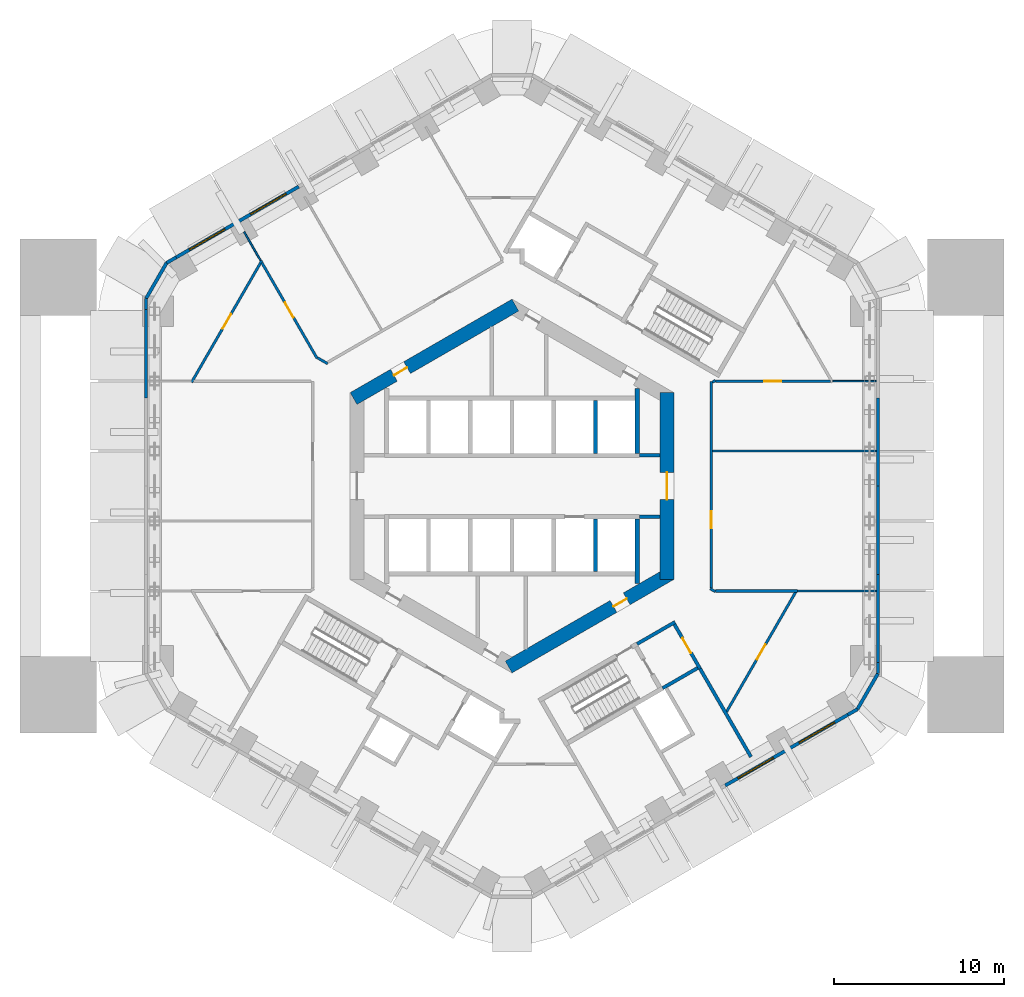
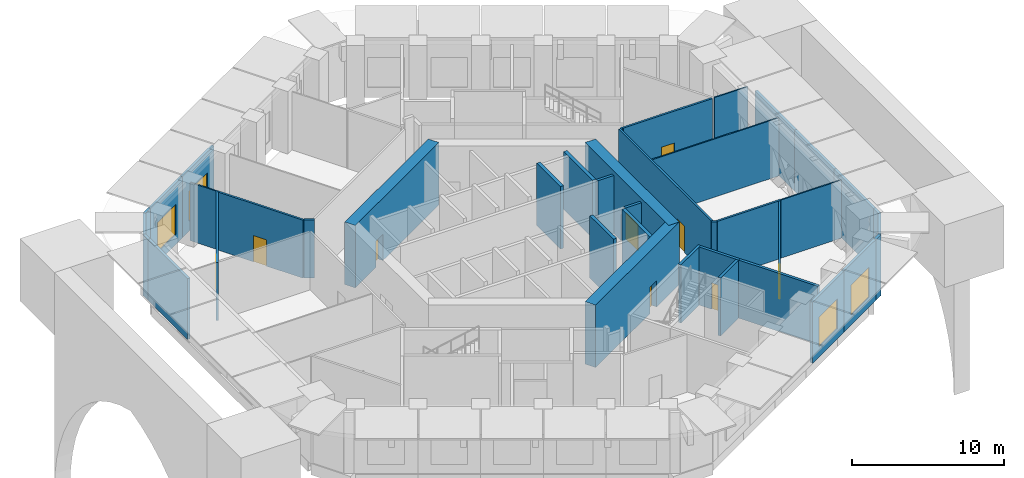
# One storey, part 4 of 10: 40 walls, 9 doors, 4 windows, 13 openings.
"""IFC4 building model written with IfcOpenShell, lengths in metres."""

from ifc_helpers import new_model, si_unit, direction, frame, frame_2d, origin, place, context, subcontext, project, spatial, rectangle, extrude, material, layer, layer_set, type_object, element, fill, save


model = new_model("IFC4")

# Units and contexts
model_context = context("Model", 3, precision=1e-05, world=origin(), true_north=direction((0.0, 1.0)))
body_context = subcontext(model_context, "Body", "Model", "MODEL_VIEW")
ifc_project = project(units=[si_unit("LENGTHUNIT", "METRE"), si_unit("AREAUNIT", "SQUARE_METRE"), si_unit("VOLUMEUNIT", "CUBIC_METRE"), si_unit("PLANEANGLEUNIT", "RADIAN"), si_unit("MASSUNIT", "GRAM", prefix="KILO")], contexts=[model_context])

# Site, building, storey
site_placement = place(None, origin())
site = spatial("IfcSite", under=ifc_project, at=site_placement, CompositionType="ELEMENT")
building_placement = place(site_placement, origin())
building = spatial("IfcBuilding", under=site, at=building_placement, Name="Ayvan Gate Tower", CompositionType="ELEMENT")
storey_placement = place(building_placement, frame((0.0, 0.0, 20.5)))
storey = spatial("IfcBuildingStorey", under=building, at=storey_placement, Name="L04", CompositionType="ELEMENT", Elevation=20.5)

# Wall, opening, door
ifc_material_1 = material(Name="Concrete C70/85", Category="concrete")
ifc_layer_1 = layer(ifc_material_1, 0.800048828125)
ifc_layer_set_1 = layer_set([ifc_layer_1], Name="Concrete C70/85")
wall_type_1 = type_object("IfcWallType", Name="Core wall 800 C70/85", PredefinedType="SHEAR", material=ifc_layer_set_1)
wall_1_placement = place(storey_placement, frame((9.10009765625, -5.48486328125, 0.0), z_axis=(0.0, 0.0, 1.0), x_axis=(0.0, 1.0, 0.0)))
wall_1 = element("IfcWall", 1, at=wall_1_placement, inside=storey, type_object=wall_type_1, Name="CORE-L04-0", PredefinedType="SHEAR", context=body_context, shape_type="SweptSolid", body=[
    extrude(rectangle(XDim=10.9697265625, YDim=0.800048828125, at=frame_2d((5.48486328125, 0.0))), origin(), (0.0, 0.0, 1.0), 5.0),
])
opening_1_placement = place(wall_1_placement, frame((4.684814453125, 0.0, 0.0)))
opening_1 = element("IfcOpeningElement", 2, at=opening_1_placement, cuts=wall_1, Name="Opening L04-D31", PredefinedType="OPENING", context=body_context, shape_type="SweptSolid", body=[
    extrude(rectangle(XDim=1.60009765625, YDim=2.10009765625, at=frame_2d((0.800048828125, 1.050048828125))), frame((0.0, 0.409912109375, 0.0), z_axis=(0.0, -1.0, 0.0), x_axis=(1.0, 0.0, 0.0)), (0.0, 0.0, 1.0), 0.820068359375),
])
ifc_material_2 = material(Name="Timber door leaf", Category="wood")
door_type_1 = type_object("IfcDoorType", Name="DT-1600", OperationType="NOTDEFINED", PredefinedType="DOOR", material=ifc_material_2)
door_1_placement = place(opening_1_placement, origin())
door_1 = element("IfcDoor", 3, at=door_1_placement, inside=storey, type_object=door_type_1, Name="CD-L04-31", OperationType="SINGLE_SWING_LEFT", OverallHeight=2.10009765625, OverallWidth=1.60009765625, PredefinedType="DOOR", context=body_context, shape_type="SweptSolid", body=[
    extrude(rectangle(XDim=1.60009765625, YDim=2.10009765625, at=frame_2d((0.800048828125, 1.050048828125))), frame((0.0, 0.02490234375, 0.0), z_axis=(0.0, -1.0, 0.0), x_axis=(1.0, 0.0, 0.0)), (0.0, 0.0, 1.0), 0.050048828125),
])
fill(opening_1, door_1)

wall_2_placement = place(storey_placement, frame((0.199951171875, 10.623291015625, 0.0), z_axis=(0.0, 0.0, 1.0), x_axis=(-0.866023993627, -0.500002442456, 0.0)))
wall_2 = element("IfcWall", 4, at=wall_2_placement, inside=storey, type_object=wall_type_1, Name="CORE-L04-2", PredefinedType="SHEAR", context=body_context, shape_type="SweptSolid", body=[
    extrude(rectangle(XDim=10.9697265625, YDim=0.800048828125, at=frame_2d((5.48486328125, 0.0))), origin(), (0.0, 0.0, 1.0), 5.0),
])
opening_2_placement = place(wall_2_placement, frame((7.339111328125, 0.0, 0.0)))
opening_2 = element("IfcOpeningElement", 5, at=opening_2_placement, cuts=wall_2, Name="Opening L04-D25", PredefinedType="OPENING", context=body_context, shape_type="SweptSolid", body=[
    extrude(rectangle(XDim=0.89990234375, YDim=2.10009765625, at=frame_2d((0.449951171875, 1.050048828125))), frame((0.0, 0.409912109375, 0.0), z_axis=(0.0, -1.0, 0.0), x_axis=(1.0, 0.0, 0.0)), (0.0, 0.0, 1.0), 0.820068359375),
])
door_type_2 = type_object("IfcDoorType", Name="DT-900", OperationType="NOTDEFINED", PredefinedType="DOOR", material=ifc_material_2)
door_2_placement = place(opening_2_placement, origin())
door_2 = element("IfcDoor", 6, at=door_2_placement, inside=storey, type_object=door_type_2, Name="CD-L04-25", OperationType="SINGLE_SWING_LEFT", OverallHeight=2.10009765625, OverallWidth=0.89990234375, PredefinedType="DOOR", context=body_context, shape_type="SweptSolid", body=[
    extrude(rectangle(XDim=0.89990234375, YDim=2.10009765625, at=frame_2d((0.449951171875, 1.050048828125))), frame((0.0, 0.02490234375, 0.0), z_axis=(0.0, -1.0, 0.0), x_axis=(1.0, 0.0, 0.0)), (0.0, 0.0, 1.0), 0.050048828125),
])
fill(opening_2, door_2)

wall_3_placement = place(storey_placement, frame((-0.199951171875, -10.623291015625, 0.0), z_axis=(0.0, 0.0, 1.0), x_axis=(0.866023993627, 0.500002442456, 0.0)))
wall_3 = element("IfcWall", 7, at=wall_3_placement, inside=storey, type_object=wall_type_1, Name="CORE-L04-5", PredefinedType="SHEAR", context=body_context, shape_type="SweptSolid", body=[
    extrude(rectangle(XDim=10.9697265625, YDim=0.800048828125, at=frame_2d((5.48486328125, 0.0))), origin(), (0.0, 0.0, 1.0), 5.0),
])
opening_3_placement = place(wall_3_placement, frame((7.108154296875, 0.0, 0.0)))
opening_3 = element("IfcOpeningElement", 8, at=opening_3_placement, cuts=wall_3, Name="Opening L04-D30", PredefinedType="OPENING", context=body_context, shape_type="SweptSolid", body=[
    extrude(rectangle(XDim=0.89990234375, YDim=2.10009765625, at=frame_2d((0.449951171875, 1.050048828125))), frame((0.0, 0.409912109375, 0.0), z_axis=(0.0, -1.0, 0.0), x_axis=(1.0, 0.0, 0.0)), (0.0, 0.0, 1.0), 0.820068359375),
])
door_3_placement = place(opening_3_placement, origin())
door_3 = element("IfcDoor", 9, at=door_3_placement, inside=storey, type_object=door_type_2, Name="CD-L04-30", OperationType="SINGLE_SWING_RIGHT", OverallHeight=2.10009765625, OverallWidth=0.89990234375, PredefinedType="DOOR", context=body_context, shape_type="SweptSolid", body=[
    extrude(rectangle(XDim=0.89990234375, YDim=2.10009765625, at=frame_2d((0.449951171875, 1.050048828125))), frame((0.0, 0.02490234375, 0.0), z_axis=(0.0, -1.0, 0.0), x_axis=(1.0, 0.0, 0.0)), (0.0, 0.0, 1.0), 0.050048828125),
])
fill(opening_3, door_3)

# Wall, opening, window
ifc_material_3 = material(Name="Pale metal cladding on insulated wall")
ifc_layer_2 = layer(ifc_material_3, 0.199951171875)
ifc_layer_set_2 = layer_set([ifc_layer_2], Name="Pale metal cladding on insulated wall")
wall_type_2 = type_object("IfcWallType", Name="Louvred plant wall 200", PredefinedType="SOLIDWALL", material=ifc_layer_set_2)
wall_4_placement = place(storey_placement, frame((-12.52099609375, 17.579345703125, 0.0), z_axis=(0.0, 0.0, 1.0), x_axis=(-0.866036113234, -0.499981450231, 0.0)))
wall_4 = element("IfcWall", 10, at=wall_4_placement, inside=storey, type_object=wall_type_2, Name="EW:L04:F00:3", PredefinedType="SOLIDWALL", context=body_context, shape_type="SweptSolid", body=[
    extrude(rectangle(XDim=4.107177734375, YDim=0.199951171875, at=frame_2d((2.0537109375, 0.0))), origin(), (0.0, 0.0, 1.0), 4.8798828125),
])
opening_4_placement = place(wall_4_placement, frame((0.853515625, 0.0, 0.800048828125)))
opening_4 = element("IfcOpeningElement", 11, at=opening_4_placement, cuts=wall_4, Name="Opening W-L", PredefinedType="OPENING", context=body_context, shape_type="SweptSolid", body=[
    extrude(rectangle(XDim=2.39990234375, YDim=2.39990234375, at=frame_2d((1.199951171875, 1.199951171875))), frame((0.0, 0.10986328125, 0.0), z_axis=(0.0, -1.0, 0.0), x_axis=(1.0, 0.0, 0.0)), (0.0, 0.0, 1.0), 0.219970703125),
])
ifc_material_4 = material(Name="Anodised aluminium louvre", Category="aluminium")
window_type = type_object("IfcWindowType", Name="Louvre intake W-L", PartitioningType="DOUBLE_PANEL_VERTICAL", PredefinedType="WINDOW", material=ifc_material_4)
window_1_placement = place(opening_4_placement, origin())
window_1 = element("IfcWindow", 12, at=window_1_placement, inside=storey, type_object=window_type, Name="Louvre intake L04.0.3", OverallHeight=2.39990234375, OverallWidth=2.39990234375, PartitioningType="SINGLE_PANEL", PredefinedType="WINDOW", context=body_context, shape_type="SweptSolid", body=[
    extrude(rectangle(XDim=2.39990234375, YDim=2.39990234375, at=frame_2d((1.199951171875, 1.199951171875))), frame((0.0, 0.030029296875, 0.0), z_axis=(0.0, -1.0, 0.0), x_axis=(1.0, 0.0, 0.0)), (0.0, 0.0, 1.0), 0.06005859375),
])
fill(opening_4, window_1)

wall_5_placement = place(storey_placement, frame((-16.077880859375, 15.52587890625, 0.0), z_axis=(0.0, 0.0, 1.0), x_axis=(-0.866016145416, -0.500016035621, 0.0)))
wall_5 = element("IfcWall", 13, at=wall_5_placement, inside=storey, type_object=wall_type_2, Name="EW:L04:F00:4", PredefinedType="SOLIDWALL", context=body_context, shape_type="SweptSolid", body=[
    extrude(rectangle(XDim=4.198974609375, YDim=0.199951171875, at=frame_2d((2.099609375, 0.0))), origin(), (0.0, 0.0, 1.0), 4.8798828125),
])
opening_5_placement = place(wall_5_placement, frame((0.899658203125, 0.0, 0.800048828125)))
opening_5 = element("IfcOpeningElement", 14, at=opening_5_placement, cuts=wall_5, Name="Opening W-L", PredefinedType="OPENING", context=body_context, shape_type="SweptSolid", body=[
    extrude(rectangle(XDim=2.39990234375, YDim=2.39990234375, at=frame_2d((1.199951171875, 1.199951171875))), frame((0.0, 0.10986328125, 0.0), z_axis=(0.0, -1.0, 0.0), x_axis=(1.0, 0.0, 0.0)), (0.0, 0.0, 1.0), 0.219970703125),
])
window_2_placement = place(opening_5_placement, origin())
window_2 = element("IfcWindow", 15, at=window_2_placement, inside=storey, type_object=window_type, Name="Louvre intake L04.0.4", OverallHeight=2.39990234375, OverallWidth=2.39990234375, PartitioningType="SINGLE_PANEL", PredefinedType="WINDOW", context=body_context, shape_type="SweptSolid", body=[
    extrude(rectangle(XDim=2.39990234375, YDim=2.39990234375, at=frame_2d((1.199951171875, 1.199951171875))), frame((0.0, 0.030029296875, 0.0), z_axis=(0.0, -1.0, 0.0), x_axis=(1.0, 0.0, 0.0)), (0.0, 0.0, 1.0), 0.06005859375),
])
fill(opening_5, window_2)

# Walls
wall_6_placement = place(storey_placement, frame((-19.71435546875, 13.42626953125, 0.0), z_axis=(0.0, 0.0, 1.0), x_axis=(-0.865922902183, -0.50017749597, 0.0)))
element("IfcWall", 16, at=wall_6_placement, inside=storey, type_object=wall_type_2, Name="EW:L04:C01:0", PredefinedType="SOLIDWALL", context=body_context, shape_type="SweptSolid", body=[
    extrude(rectangle(XDim=0.650146484375, YDim=0.199951171875, at=frame_2d((0.3251953125, 0.0))), origin(), (0.0, 0.0, 1.0), 4.8798828125),
])
wall_7_placement = place(storey_placement, frame((-20.27734375, 13.10107421875, 0.0), z_axis=(0.0, 0.0, 1.0), x_axis=(-0.499999616612, -0.866025625133, 0.0)))
element("IfcWall", 17, at=wall_7_placement, inside=storey, type_object=wall_type_2, Name="EW:L04:C01:1", PredefinedType="SOLIDWALL", context=body_context, shape_type="SweptSolid", body=[
    extrude(rectangle(XDim=2.41455078125, YDim=0.199951171875, at=frame_2d((1.207275390625, 0.0))), origin(), (0.0, 0.0, 1.0), 4.8798828125),
])
wall_8_placement = place(storey_placement, frame((-21.484619140625, 11.010009765625, 0.0), z_axis=(0.0, 0.0, 1.0), x_axis=(0.0, -1.0, 0.0)))
element("IfcWall", 18, at=wall_8_placement, inside=storey, type_object=wall_type_2, Name="EW:L04:C01:2", PredefinedType="SOLIDWALL", context=body_context, shape_type="SweptSolid", body=[
    extrude(rectangle(XDim=0.64990234375, YDim=0.199951171875, at=frame_2d((0.324951171875, 0.0))), origin(), (0.0, 0.0, 1.0), 4.8798828125),
])
wall_9_placement = place(storey_placement, frame((-21.484619140625, 10.360107421875, 0.0), z_axis=(0.0, 0.0, 1.0), x_axis=(0.0, -1.0, 0.0)))
element("IfcWall", 19, at=wall_9_placement, inside=storey, type_object=wall_type_2, Name="EW:L04:F02:0", PredefinedType="SOLIDWALL", context=body_context, shape_type="SweptSolid", body=[
    extrude(rectangle(XDim=5.18017578125, YDim=0.199951171875, at=frame_2d((2.590087890625, 0.0))), origin(), (0.0, 0.0, 1.0), 4.8798828125),
])

# Wall, opening, window
wall_10_placement = place(storey_placement, frame((12.52099609375, -17.579345703125, 0.0), z_axis=(0.0, 0.0, 1.0), x_axis=(0.866036113234, 0.499981450231, 0.0)))
wall_10 = element("IfcWall", 20, at=wall_10_placement, inside=storey, type_object=wall_type_2, Name="EW:L04:F06:3", PredefinedType="SOLIDWALL", context=body_context, shape_type="SweptSolid", body=[
    extrude(rectangle(XDim=4.107177734375, YDim=0.199951171875, at=frame_2d((2.0537109375, 0.0))), origin(), (0.0, 0.0, 1.0), 4.8798828125),
])
opening_6_placement = place(wall_10_placement, frame((0.853515625, 0.0, 0.800048828125)))
opening_6 = element("IfcOpeningElement", 21, at=opening_6_placement, cuts=wall_10, Name="Opening W-L", PredefinedType="OPENING", context=body_context, shape_type="SweptSolid", body=[
    extrude(rectangle(XDim=2.39990234375, YDim=2.39990234375, at=frame_2d((1.199951171875, 1.199951171875))), frame((0.0, 0.10986328125, 0.0), z_axis=(0.0, -1.0, 0.0), x_axis=(1.0, 0.0, 0.0)), (0.0, 0.0, 1.0), 0.219970703125),
])
window_3_placement = place(opening_6_placement, origin())
window_3 = element("IfcWindow", 22, at=window_3_placement, inside=storey, type_object=window_type, Name="Louvre intake L04.6.3", OverallHeight=2.39990234375, OverallWidth=2.39990234375, PartitioningType="SINGLE_PANEL", PredefinedType="WINDOW", context=body_context, shape_type="SweptSolid", body=[
    extrude(rectangle(XDim=2.39990234375, YDim=2.39990234375, at=frame_2d((1.199951171875, 1.199951171875))), frame((0.0, 0.030029296875, 0.0), z_axis=(0.0, -1.0, 0.0), x_axis=(1.0, 0.0, 0.0)), (0.0, 0.0, 1.0), 0.06005859375),
])
fill(opening_6, window_3)

wall_11_placement = place(storey_placement, frame((16.077880859375, -15.52587890625, 0.0), z_axis=(0.0, 0.0, 1.0), x_axis=(0.866016145416, 0.500016035621, 0.0)))
wall_11 = element("IfcWall", 23, at=wall_11_placement, inside=storey, type_object=wall_type_2, Name="EW:L04:F06:4", PredefinedType="SOLIDWALL", context=body_context, shape_type="SweptSolid", body=[
    extrude(rectangle(XDim=4.198974609375, YDim=0.199951171875, at=frame_2d((2.099609375, 0.0))), origin(), (0.0, 0.0, 1.0), 4.8798828125),
])
opening_7_placement = place(wall_11_placement, frame((0.899658203125, 0.0, 0.800048828125)))
opening_7 = element("IfcOpeningElement", 24, at=opening_7_placement, cuts=wall_11, Name="Opening W-L", PredefinedType="OPENING", context=body_context, shape_type="SweptSolid", body=[
    extrude(rectangle(XDim=2.39990234375, YDim=2.39990234375, at=frame_2d((1.199951171875, 1.199951171875))), frame((0.0, 0.10986328125, 0.0), z_axis=(0.0, -1.0, 0.0), x_axis=(1.0, 0.0, 0.0)), (0.0, 0.0, 1.0), 0.219970703125),
])
window_4_placement = place(opening_7_placement, origin())
window_4 = element("IfcWindow", 25, at=window_4_placement, inside=storey, type_object=window_type, Name="Louvre intake L04.6.4", OverallHeight=2.39990234375, OverallWidth=2.39990234375, PartitioningType="SINGLE_PANEL", PredefinedType="WINDOW", context=body_context, shape_type="SweptSolid", body=[
    extrude(rectangle(XDim=2.39990234375, YDim=2.39990234375, at=frame_2d((1.199951171875, 1.199951171875))), frame((0.0, 0.030029296875, 0.0), z_axis=(0.0, -1.0, 0.0), x_axis=(1.0, 0.0, 0.0)), (0.0, 0.0, 1.0), 0.06005859375),
])
fill(opening_7, window_4)

# Walls
wall_12_placement = place(storey_placement, frame((19.71435546875, -13.42626953125, 0.0), z_axis=(0.0, 0.0, 1.0), x_axis=(0.865922902183, 0.50017749597, 0.0)))
element("IfcWall", 26, at=wall_12_placement, inside=storey, type_object=wall_type_2, Name="EW:L04:C07:0", PredefinedType="SOLIDWALL", context=body_context, shape_type="SweptSolid", body=[
    extrude(rectangle(XDim=0.650146484375, YDim=0.199951171875, at=frame_2d((0.3251953125, 0.0))), origin(), (0.0, 0.0, 1.0), 4.8798828125),
])
wall_13_placement = place(storey_placement, frame((20.27734375, -13.10107421875, 0.0), z_axis=(0.0, 0.0, 1.0), x_axis=(0.499999616612, 0.866025625133, 0.0)))
element("IfcWall", 27, at=wall_13_placement, inside=storey, type_object=wall_type_2, Name="EW:L04:C07:1", PredefinedType="SOLIDWALL", context=body_context, shape_type="SweptSolid", body=[
    extrude(rectangle(XDim=2.41455078125, YDim=0.199951171875, at=frame_2d((1.207275390625, 0.0))), origin(), (0.0, 0.0, 1.0), 4.8798828125),
])
wall_14_placement = place(storey_placement, frame((21.484619140625, -11.010009765625, 0.0), z_axis=(0.0, 0.0, 1.0), x_axis=(0.0, 1.0, 0.0)))
element("IfcWall", 28, at=wall_14_placement, inside=storey, type_object=wall_type_2, Name="EW:L04:C07:2", PredefinedType="SOLIDWALL", context=body_context, shape_type="SweptSolid", body=[
    extrude(rectangle(XDim=0.64990234375, YDim=0.199951171875, at=frame_2d((0.324951171875, 0.0))), origin(), (0.0, 0.0, 1.0), 4.8798828125),
])
wall_15_placement = place(storey_placement, frame((21.484619140625, -10.360107421875, 0.0), z_axis=(0.0, 0.0, 1.0), x_axis=(0.0, 1.0, 0.0)))
element("IfcWall", 29, at=wall_15_placement, inside=storey, type_object=wall_type_2, Name="EW:L04:F08:0", PredefinedType="SOLIDWALL", context=body_context, shape_type="SweptSolid", body=[
    extrude(rectangle(XDim=5.18017578125, YDim=0.199951171875, at=frame_2d((2.590087890625, 0.0))), origin(), (0.0, 0.0, 1.0), 4.8798828125),
])
for number, where, z_axis, x_axis, name in (
    (30, (21.484619140625, -5.179931640625, 0.0), (0.0, 0.0, 1.0), (0.0, 1.0, 0.0), "EW:L04:F08:1"),
    (31, (21.484619140625, 0.0, 0.0), (0.0, 0.0, 1.0), (0.0, 1.0, 0.0), "EW:L04:F08:2"),
):
    element("IfcWall", number, at=place(storey_placement, frame(where, z_axis=z_axis, x_axis=x_axis)), inside=storey, type_object=wall_type_2, Name=name, PredefinedType="SOLIDWALL", context=body_context, shape_type="SweptSolid", body=[
        extrude(rectangle(XDim=5.179931640625, YDim=0.199951171875, at=frame_2d((2.58984375, 0.0))), origin(), (0.0, 0.0, 1.0), 4.8798828125),
    ])

# Wall, opening, door
ifc_material_5 = material(Name="Plasterboard on steel stud", Category="steel")
ifc_layer_3 = layer(ifc_material_5, 0.14990234375)
ifc_layer_set_3 = layer_set([ifc_layer_3], Name="Plasterboard on steel stud")
wall_type_3 = type_object("IfcWallType", Name="WT-CORR-150", PredefinedType="PARTITIONING", material=ifc_layer_set_3)
wall_16_placement = place(storey_placement, frame((-18.807861328125, 6.095703125, 0.0), z_axis=(0.0, 0.0, 1.0), x_axis=(0.499999979418, 0.866025415668, 0.0)))
wall_16 = element("IfcWall", 32, at=wall_16_placement, inside=storey, type_object=wall_type_3, Name="IW-L04-002", PredefinedType="PARTITIONING", context=body_context, shape_type="SweptSolid", body=[
    extrude(rectangle(XDim=8.24951171875, YDim=0.14990234375, at=frame_2d((4.124755859375, 0.0))), origin(), (0.0, 0.0, 1.0), 4.64990234375),
])
opening_8_placement = place(wall_16_placement, frame((3.624755859375, 0.0, 0.0)))
opening_8 = element("IfcOpeningElement", 33, at=opening_8_placement, cuts=wall_16, Name="Opening L04-D19", PredefinedType="OPENING", context=body_context, shape_type="SweptSolid", body=[
    extrude(rectangle(XDim=1.0, YDim=2.10009765625, at=frame_2d((0.5, 1.050048828125))), frame((0.0, 0.0849609375, 0.0), z_axis=(0.0, -1.0, 0.0), x_axis=(1.0, 0.0, 0.0)), (0.0, 0.0, 1.0), 0.169921875),
])
door_type_3 = type_object("IfcDoorType", Name="DT-1000", OperationType="NOTDEFINED", PredefinedType="DOOR", material=ifc_material_2)
door_4_placement = place(opening_8_placement, origin())
door_4 = element("IfcDoor", 34, at=door_4_placement, inside=storey, type_object=door_type_3, Name="ID-L04-019", OperationType="SINGLE_SWING_LEFT", OverallHeight=2.10009765625, OverallWidth=1.0, PredefinedType="DOOR", context=body_context, shape_type="SweptSolid", body=[
    extrude(rectangle(XDim=1.0, YDim=2.10009765625, at=frame_2d((0.5, 1.050048828125))), frame((0.0, 0.02490234375, 0.0), z_axis=(0.0, -1.0, 0.0), x_axis=(1.0, 0.0, 0.0)), (0.0, 0.0, 1.0), 0.050048828125),
])
fill(opening_8, door_4)

wall_17_placement = place(storey_placement, frame((-14.68310546875, 13.110107421875, 0.0), z_axis=(0.0, 0.0, 1.0), x_axis=(0.500005126634, -0.866022443901, 0.0)))
wall_17 = element("IfcWall", 35, at=wall_17_placement, inside=storey, type_object=wall_type_3, Name="IW-L04-007", PredefinedType="PARTITIONING", context=body_context, shape_type="SweptSolid", body=[
    extrude(rectangle(XDim=6.4794921875, YDim=0.14990234375, at=frame_2d((3.23974609375, 0.0))), origin(), (0.0, 0.0, 1.0), 4.64990234375),
])
opening_9_placement = place(wall_17_placement, frame((2.7021484375, 0.0, 0.0)))
opening_9 = element("IfcOpeningElement", 36, at=opening_9_placement, cuts=wall_17, Name="Opening L04-D22", PredefinedType="OPENING", context=body_context, shape_type="SweptSolid", body=[
    extrude(rectangle(XDim=1.0, YDim=2.10009765625, at=frame_2d((0.5, 1.050048828125))), frame((0.0, 0.0849609375, 0.0), z_axis=(0.0, -1.0, 0.0), x_axis=(1.0, 0.0, 0.0)), (0.0, 0.0, 1.0), 0.169921875),
])
door_5_placement = place(opening_9_placement, origin())
door_5 = element("IfcDoor", 37, at=door_5_placement, inside=storey, type_object=door_type_3, Name="ID-L04-022", OperationType="SINGLE_SWING_RIGHT", OverallHeight=2.10009765625, OverallWidth=1.0, PredefinedType="DOOR", context=body_context, shape_type="SweptSolid", body=[
    extrude(rectangle(XDim=1.0, YDim=2.10009765625, at=frame_2d((0.5, 1.050048828125))), frame((0.0, 0.02490234375, 0.0), z_axis=(0.0, -1.0, 0.0), x_axis=(1.0, 0.0, 0.0)), (0.0, 0.0, 1.0), 0.050048828125),
])
fill(opening_9, door_5)

# Walls
wall_18_placement = place(storey_placement, frame((-11.415771484375, 7.526123046875, 0.0), z_axis=(0.0, 0.0, 1.0), x_axis=(0.866209421097, -0.499681137129, 0.0)))
element("IfcWall", 38, at=wall_18_placement, inside=storey, type_object=wall_type_3, Name="IW-L04-015", PredefinedType="PARTITIONING", context=body_context, shape_type="SweptSolid", body=[
    extrude(rectangle(XDim=0.68212890625, YDim=0.14990234375, at=frame_2d((0.341064453125, 0.0))), origin(), (0.0, 0.0, 1.0), 4.64990234375),
])
wall_19_placement = place(storey_placement, frame((11.635009765625, -6.024658203125, 0.0), z_axis=(0.0, 0.0, 1.0), x_axis=(0.866115353951, -0.499844169366, 0.0)))
element("IfcWall", 39, at=wall_19_placement, inside=storey, type_object=wall_type_3, Name="IW-L04-087", PredefinedType="PARTITIONING", context=body_context, shape_type="SweptSolid", body=[
    extrude(rectangle(XDim=0.34716796875, YDim=0.14990234375, at=frame_2d((0.173583984375, 0.0))), origin(), (0.0, 0.0, 1.0), 4.64990234375),
])

# Wall, opening, door
wall_20_placement = place(storey_placement, frame((11.699951171875, -5.9873046875, 0.0), z_axis=(0.0, 0.0, 1.0), x_axis=(0.0, 1.0, 0.0)))
wall_20 = element("IfcWall", 40, at=wall_20_placement, inside=storey, type_object=wall_type_3, Name="IW-L04-089", PredefinedType="PARTITIONING", context=body_context, shape_type="SweptSolid", body=[
    extrude(rectangle(XDim=12.12451171875, YDim=0.14990234375, at=frame_2d((6.062255859375, 0.0))), origin(), (0.0, 0.0, 1.0), 4.64990234375),
])
opening_10_placement = place(wall_20_placement, frame((3.50537109375, 0.0, 0.0)))
opening_10 = element("IfcOpeningElement", 41, at=opening_10_placement, cuts=wall_20, Name="Opening L04-D13", PredefinedType="OPENING", context=body_context, shape_type="SweptSolid", body=[
    extrude(rectangle(XDim=1.0, YDim=2.10009765625, at=frame_2d((0.5, 1.050048828125))), frame((0.0, 0.0849609375, 0.0), z_axis=(0.0, -1.0, 0.0), x_axis=(1.0, 0.0, 0.0)), (0.0, 0.0, 1.0), 0.169921875),
])
door_6_placement = place(opening_10_placement, origin())
door_6 = element("IfcDoor", 42, at=door_6_placement, inside=storey, type_object=door_type_3, Name="ID-L04-013", OperationType="SINGLE_SWING_LEFT", OverallHeight=2.10009765625, OverallWidth=1.0, PredefinedType="DOOR", context=body_context, shape_type="SweptSolid", body=[
    extrude(rectangle(XDim=1.0, YDim=2.10009765625, at=frame_2d((0.5, 1.050048828125))), frame((0.0, 0.02490234375, 0.0), z_axis=(0.0, -1.0, 0.0), x_axis=(1.0, 0.0, 0.0)), (0.0, 0.0, 1.0), 0.050048828125),
])
fill(opening_10, door_6)

# Walls
wall_21_placement = place(storey_placement, frame((11.94580078125, -6.160888671875, 0.0), z_axis=(0.0, 0.0, 1.0), x_axis=(1.0, 0.0, 0.0)))
element("IfcWall", 43, at=wall_21_placement, inside=storey, type_object=wall_type_3, Name="IW-L04-090", PredefinedType="PARTITIONING", context=body_context, shape_type="SweptSolid", body=[
    extrude(rectangle(XDim=4.821044921875, YDim=0.14990234375, at=frame_2d((2.41064453125, 0.0))), origin(), (0.0, 0.0, 1.0), 4.64990234375),
])
wall_22_placement = place(storey_placement, frame((11.935791015625, 6.1982421875, 0.0), z_axis=(0.0, 0.0, 1.0), x_axis=(-0.866103179807, -0.499865263774, 0.0)))
element("IfcWall", 44, at=wall_22_placement, inside=storey, type_object=wall_type_3, Name="IW-L04-091", PredefinedType="PARTITIONING", context=body_context, shape_type="SweptSolid", body=[
    extrude(rectangle(XDim=0.197265625, YDim=0.14990234375, at=frame_2d((0.0986328125, 0.0))), origin(), (0.0, 0.0, 1.0), 4.64990234375),
])

# Wall, opening, door
wall_23_placement = place(storey_placement, frame((16.654296875, -6.2255859375, 0.0), z_axis=(0.0, 0.0, 1.0), x_axis=(-0.500004743543, -0.866022665081, 0.0)))
wall_23 = element("IfcWall", 45, at=wall_23_placement, inside=storey, type_object=wall_type_3, Name="IW-L04-096", PredefinedType="PARTITIONING", context=body_context, shape_type="SweptSolid", body=[
    extrude(rectangle(XDim=8.1103515625, YDim=0.14990234375, at=frame_2d((4.05517578125, 0.0))), origin(), (0.0, 0.0, 1.0), 4.64990234375),
])
opening_11_placement = place(wall_23_placement, frame((3.55517578125, 0.0, 0.0)))
opening_11 = element("IfcOpeningElement", 46, at=opening_11_placement, cuts=wall_23, Name="Opening L04-D16", PredefinedType="OPENING", context=body_context, shape_type="SweptSolid", body=[
    extrude(rectangle(XDim=1.0, YDim=2.10009765625, at=frame_2d((0.5, 1.050048828125))), frame((0.0, 0.0849609375, 0.0), z_axis=(0.0, -1.0, 0.0), x_axis=(1.0, 0.0, 0.0)), (0.0, 0.0, 1.0), 0.169921875),
])
door_7_placement = place(opening_11_placement, origin())
door_7 = element("IfcDoor", 47, at=door_7_placement, inside=storey, type_object=door_type_3, Name="ID-L04-016", OperationType="SINGLE_SWING_RIGHT", OverallHeight=2.10009765625, OverallWidth=1.0, PredefinedType="DOOR", context=body_context, shape_type="SweptSolid", body=[
    extrude(rectangle(XDim=1.0, YDim=2.10009765625, at=frame_2d((0.5, 1.050048828125))), frame((0.0, 0.02490234375, 0.0), z_axis=(0.0, -1.0, 0.0), x_axis=(1.0, 0.0, 0.0)), (0.0, 0.0, 1.0), 0.050048828125),
])
fill(opening_11, door_7)

wall_24_placement = place(storey_placement, frame((18.6953125, 6.160888671875, 0.0), z_axis=(0.0, 0.0, 1.0), x_axis=(-1.0, 0.0, 0.0)))
wall_24 = element("IfcWall", 48, at=wall_24_placement, inside=storey, type_object=wall_type_3, Name="IW-L04-098", PredefinedType="PARTITIONING", context=body_context, shape_type="SweptSolid", body=[
    extrude(rectangle(XDim=6.74951171875, YDim=0.14990234375, at=frame_2d((3.374755859375, 0.0))), origin(), (0.0, 0.0, 1.0), 4.64990234375),
])
opening_12_placement = place(wall_24_placement, frame((2.874755859375, 0.0, 0.0)))
opening_12 = element("IfcOpeningElement", 49, at=opening_12_placement, cuts=wall_24, Name="Opening L04-D14", PredefinedType="OPENING", context=body_context, shape_type="SweptSolid", body=[
    extrude(rectangle(XDim=1.0, YDim=2.10009765625, at=frame_2d((0.5, 1.050048828125))), frame((0.0, 0.0849609375, 0.0), z_axis=(0.0, -1.0, 0.0), x_axis=(1.0, 0.0, 0.0)), (0.0, 0.0, 1.0), 0.169921875),
])
door_8_placement = place(opening_12_placement, origin())
door_8 = element("IfcDoor", 50, at=door_8_placement, inside=storey, type_object=door_type_3, Name="ID-L04-014", OperationType="SINGLE_SWING_RIGHT", OverallHeight=2.10009765625, OverallWidth=1.0, PredefinedType="DOOR", context=body_context, shape_type="SweptSolid", body=[
    extrude(rectangle(XDim=1.0, YDim=2.10009765625, at=frame_2d((0.5, 1.050048828125))), frame((0.0, 0.02490234375, 0.0), z_axis=(0.0, -1.0, 0.0), x_axis=(1.0, 0.0, 0.0)), (0.0, 0.0, 1.0), 0.050048828125),
])
fill(opening_12, door_8)

# Walls
ifc_layer_4 = layer(ifc_material_5, 0.10009765625)
ifc_layer_set_4 = layer_set([ifc_layer_4], Name="Plasterboard on steel stud")
wall_type_4 = type_object("IfcWallType", Name="WT-PART-100", PredefinedType="PARTITIONING", material=ifc_layer_set_4)
wall_25_placement = place(storey_placement, frame((-15.727783203125, 14.919677734375, 0.0), z_axis=(0.0, 0.0, 1.0), x_axis=(0.49998396455, -0.866034661658, 0.0)))
element("IfcWall", 51, at=wall_25_placement, inside=storey, type_object=wall_type_4, Name="IW-L04-005", PredefinedType="PARTITIONING", context=body_context, shape_type="SweptSolid", body=[
    extrude(rectangle(XDim=1.939453125, YDim=0.10009765625, at=frame_2d((0.9697265625, 0.0))), origin(), (0.0, 0.0, 1.0), 4.64990234375),
])
wall_26_placement = place(storey_placement, frame((11.77490234375, 2.0537109375, 0.0), z_axis=(0.0, 0.0, 1.0), x_axis=(1.0, 0.0, 0.0)))
element("IfcWall", 52, at=wall_26_placement, inside=storey, type_object=wall_type_4, Name="IW-L04-088", PredefinedType="PARTITIONING", context=body_context, shape_type="SweptSolid", body=[
    extrude(rectangle(XDim=9.605712890625, YDim=0.10009765625, at=frame_2d((4.802734375, 0.0))), origin(), (0.0, 0.0, 1.0), 4.64990234375),
])
wall_27_placement = place(storey_placement, frame((18.84521484375, 6.160888671875, 0.0), z_axis=(0.0, 0.0, 1.0), x_axis=(1.0, 0.0, 0.0)))
element("IfcWall", 53, at=wall_27_placement, inside=storey, type_object=wall_type_4, Name="IW-L04-097", PredefinedType="PARTITIONING", context=body_context, shape_type="SweptSolid", body=[
    extrude(rectangle(XDim=2.535400390625, YDim=0.10009765625, at=frame_2d((1.267578125, 0.0))), origin(), (0.0, 0.0, 1.0), 4.64990234375),
])
wall_28_placement = place(storey_placement, frame((21.380615234375, -6.160888671875, 0.0), z_axis=(0.0, 0.0, 1.0), x_axis=(-1.0, 0.0, 0.0)))
element("IfcWall", 54, at=wall_28_placement, inside=storey, type_object=wall_type_4, Name="IW-L04-099", PredefinedType="PARTITIONING", context=body_context, shape_type="SweptSolid", body=[
    extrude(rectangle(XDim=4.614013671875, YDim=0.10009765625, at=frame_2d((2.30712890625, 0.0))), origin(), (0.0, 0.0, 1.0), 4.64990234375),
])
ifc_layer_5 = layer(ifc_material_5, 0.199951171875)
ifc_layer_set_5 = layer_set([ifc_layer_5], Name="Plasterboard on steel stud")
wall_type_5 = type_object("IfcWallType", Name="WT-PLUMB-200", PredefinedType="PLUMBINGWALL", material=ifc_layer_set_5)
wall_29_placement = place(storey_placement, frame((10.900634765625, -10.6806640625, 0.0), z_axis=(0.0, 0.0, 1.0), x_axis=(-0.866007538022, -0.500030943131, 0.0)))
element("IfcWall", 55, at=wall_29_placement, inside=storey, type_object=wall_type_5, Name="IW-L04-085", PredefinedType="PLUMBINGWALL", context=body_context, shape_type="SweptSolid", body=[
    extrude(rectangle(XDim=2.374755859375, YDim=0.199951171875, at=frame_2d((1.1875, 0.0))), origin(), (0.0, 0.0, 1.0), 4.64990234375),
])
wall_30_placement = place(storey_placement, frame((11.037353515625, -10.71728515625, 0.0), z_axis=(0.0, 0.0, 1.0), x_axis=(0.500000259638, -0.866025253883, 0.0)))
element("IfcWall", 56, at=wall_30_placement, inside=storey, type_object=wall_type_5, Name="IW-L04-086", PredefinedType="PLUMBINGWALL", context=body_context, shape_type="SweptSolid", body=[
    extrude(rectangle(XDim=5.984375, YDim=0.199951171875, at=frame_2d((2.9921875, 0.0))), origin(), (0.0, 0.0, 1.0), 4.64990234375),
])
ifc_layer_6 = layer(ifc_material_5, 0.199951171875)
ifc_layer_set_6 = layer_set([ifc_layer_6], Name="Plasterboard on steel stud")
wall_type_6 = type_object("IfcWallType", Name="WT-RATED-200", PredefinedType="PARTITIONING", material=ifc_layer_set_6)
wall_31_placement = place(storey_placement, frame((7.343994140625, -9.27001953125, 0.0), z_axis=(0.0, 0.0, 1.0), x_axis=(0.866005588531, 0.500034319456, 0.0)))
element("IfcWall", 57, at=wall_31_placement, inside=storey, type_object=wall_type_6, Name="IW-L04-076", PredefinedType="PARTITIONING", context=body_context, shape_type="SweptSolid", body=[
    extrude(rectangle(XDim=2.574951171875, YDim=0.199951171875, at=frame_2d((1.28759765625, 0.0))), origin(), (0.0, 0.0, 1.0), 4.64990234375),
])
for number, where, z_axis, x_axis, name in (
    (58, (7.474853515625, 1.800048828125, 0.0), (0.0, 0.0, 1.0), (1.0, 0.0, 0.0), "IW-L04-077"),
    (59, (8.699951171875, -1.800048828125, 0.0), (0.0, 0.0, 1.0), (-1.0, 0.0, 0.0), "IW-L04-083"),
):
    element("IfcWall", number, at=place(storey_placement, frame(where, z_axis=z_axis, x_axis=x_axis)), inside=storey, type_object=wall_type_6, Name=name, PredefinedType="PARTITIONING", context=body_context, shape_type="SweptSolid", body=[
        extrude(rectangle(XDim=1.22509765625, YDim=0.199951171875, at=frame_2d((0.612548828125, 0.0))), origin(), (0.0, 0.0, 1.0), 4.64990234375),
    ])

# Wall, opening, door
wall_32_placement = place(storey_placement, frame((9.537353515625, -8.119140625, 0.0), z_axis=(0.0, 0.0, 1.0), x_axis=(0.499990139034, -0.866031096941, 0.0)))
wall_32 = element("IfcWall", 60, at=wall_32_placement, inside=storey, type_object=wall_type_6, Name="IW-L04-084", PredefinedType="PARTITIONING", context=body_context, shape_type="SweptSolid", body=[
    extrude(rectangle(XDim=3.0, YDim=0.199951171875, at=frame_2d((1.5, 0.0))), origin(), (0.0, 0.0, 1.0), 4.64990234375),
])
opening_13_placement = place(wall_32_placement, frame((0.93505859375, 0.0, 0.0)))
opening_13 = element("IfcOpeningElement", 61, at=opening_13_placement, cuts=wall_32, Name="Opening L04-D11", PredefinedType="OPENING", context=body_context, shape_type="SweptSolid", body=[
    extrude(rectangle(XDim=1.0, YDim=2.10009765625, at=frame_2d((0.5, 1.050048828125))), frame((0.0, 0.10986328125, 0.0), z_axis=(0.0, -1.0, 0.0), x_axis=(1.0, 0.0, 0.0)), (0.0, 0.0, 1.0), 0.219970703125),
])
door_9_placement = place(opening_13_placement, origin())
door_9 = element("IfcDoor", 62, at=door_9_placement, inside=storey, type_object=door_type_3, Name="ID-L04-011", OperationType="SINGLE_SWING_LEFT", OverallHeight=2.10009765625, OverallWidth=1.0, PredefinedType="DOOR", context=body_context, shape_type="SweptSolid", body=[
    extrude(rectangle(XDim=1.0, YDim=2.10009765625, at=frame_2d((0.5, 1.050048828125))), frame((0.0, 0.02490234375, 0.0), z_axis=(0.0, -1.0, 0.0), x_axis=(1.0, 0.0, 0.0)), (0.0, 0.0, 1.0), 0.050048828125),
])
fill(opening_13, door_9)

# Walls
ifc_material_6 = material(Name="Concrete C50/60", Category="concrete")
ifc_layer_7 = layer(ifc_material_6, 0.25)
ifc_layer_set_7 = layer_set([ifc_layer_7], Name="Concrete C50/60")
wall_type_7 = type_object("IfcWallType", Name="WT-RC-250", PredefinedType="SHEAR", material=ifc_layer_set_7)
for number, where, z_axis, x_axis, name in (
    (63, (4.89990234375, -1.925048828125, 0.0), (0.0, 0.0, 1.0), (0.0, -1.0, 0.0), "IW-L04-069"),
    (64, (4.89990234375, 5.02490234375, 0.0), (0.0, 0.0, 1.0), (0.0, -1.0, 0.0), "IW-L04-070"),
):
    element("IfcWall", number, at=place(storey_placement, frame(where, z_axis=z_axis, x_axis=x_axis)), inside=storey, type_object=wall_type_7, Name=name, PredefinedType="SHEAR", context=body_context, shape_type="SweptSolid", body=[
        extrude(rectangle(XDim=3.099853515625, YDim=0.25, at=frame_2d((1.5498046875, 0.0))), origin(), (0.0, 0.0, 1.0), 5.0),
    ])
for number, where, z_axis, x_axis, name in (
    (65, (7.35009765625, -1.925048828125, 0.0), (0.0, 0.0, 1.0), (0.0, -1.0, 0.0), "IW-L04-078"),
    (66, (7.35009765625, 5.730224609375, 0.0), (0.0, 0.0, 1.0), (0.0, -1.0, 0.0), "IW-L04-079"),
):
    element("IfcWall", number, at=place(storey_placement, frame(where, z_axis=z_axis, x_axis=x_axis)), inside=storey, type_object=wall_type_7, Name=name, PredefinedType="SHEAR", context=body_context, shape_type="SweptSolid", body=[
        extrude(rectangle(XDim=3.80517578125, YDim=0.25, at=frame_2d((1.902587890625, 0.0))), origin(), (0.0, 0.0, 1.0), 4.64990234375),
    ])

save(model, "model.ifc")
